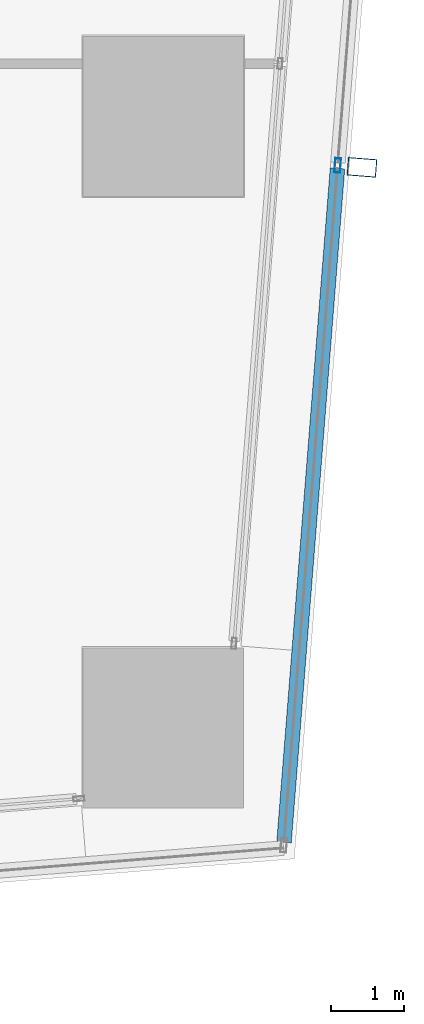
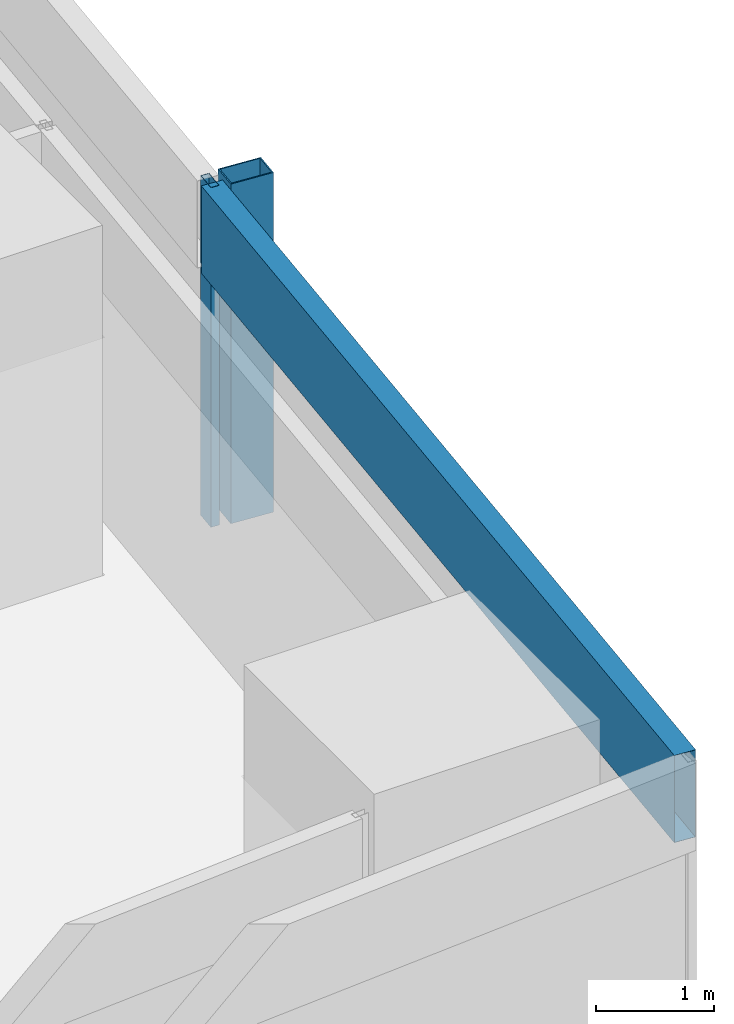
# One storey, part 25 of 44: 3 members, 1 element without a shape of its own.
"""IFC4 building model written with IfcOpenShell, lengths in metres."""

from ifc_helpers import new_model, si_unit, direction, frame, origin, origin_2d, place, context, subcontext, project, spatial, hollow_rectangle, extrude, material, material_profile, profile_set, type_object, element, aggregate, save


model = new_model("IFC4")

# Units and contexts
model_context = context("Model", 3, precision=1e-05, world=origin(), true_north=direction((0.0, 1.0)))
body_context = subcontext(model_context, "Body", "Model", "MODEL_VIEW")
ifc_project = project(units=[si_unit("LENGTHUNIT", "METRE"), si_unit("AREAUNIT", "SQUARE_METRE"), si_unit("VOLUMEUNIT", "CUBIC_METRE"), si_unit("PLANEANGLEUNIT", "RADIAN"), si_unit("MASSUNIT", "GRAM", prefix="KILO")], contexts=[model_context])

# Site, building, storey
site_placement = place(None, origin())
site = spatial("IfcSite", under=ifc_project, at=site_placement, CompositionType="ELEMENT")
building_placement = place(site_placement, origin())
building = spatial("IfcBuilding", under=site, at=building_placement, Name="Rekha Terrace Tower", CompositionType="ELEMENT")
storey_placement = place(building_placement, frame((0.0, 0.0, 62.89990234375)))
storey = spatial("IfcBuildingStorey", under=building, at=storey_placement, Name="L15", CompositionType="ELEMENT", Elevation=62.89990234375)

# Curtain wall, members
ifc_material_1 = material(Name="Aluminium framing", Category="aluminium")
curtain_wall_type = type_object("IfcCurtainWallType", Name="CW2 double skin outer glazing", PredefinedType="USERDEFINED", material=ifc_material_1)
curtain_wall_placement = place(storey_placement, origin())
curtain_wall = element("IfcCurtainWall", 1, at=curtain_wall_placement, inside=storey, type_object=curtain_wall_type, Name="CW2 double skin outer glazing", ObjectType="DOUBLE SKIN OUTER GLAZING", PredefinedType="USERDEFINED")
ifc_material_2 = material(Name="Steel S355 with fluorocarbon finish", Category="steel")
ifc_material_profile_1 = material_profile(ifc_material_2, hollow_rectangle(XDim=0.25, YDim=0.39990234375, WallThickness=0.012451171875, at=origin_2d()), Name="RHS400x250x12.5")
ifc_profile_set_1 = profile_set([ifc_material_profile_1], Name="Steel S355 with fluorocarbon finish")
member_type_1 = type_object("IfcMemberType", Name="BL1 facade blade RHS 400 x 250", PredefinedType="USERDEFINED", material=ifc_profile_set_1)
member_1_placement = place(storey_placement, frame((69.929443359375, 16.099365234375, 0.0), z_axis=(0.0, 0.0, 1.0), x_axis=(0.079116779322, 0.996865354614, 0.0)))
member_1 = element("IfcMember", 2, at=member_1_placement, type_object=member_type_1, Name="Facade blade", ObjectType="FACADE BLADE", PredefinedType="USERDEFINED", context=body_context, shape_type="SweptSolid", body=[
    extrude(hollow_rectangle(XDim=0.25, YDim=0.39990234375, WallThickness=0.012451171875, at=origin_2d()), origin(), (0.0, 0.0, 1.0), 3.5),
])
ifc_material_3 = material(Name="Aluminium mullion section", Category="aluminium")
ifc_material_profile_2 = material_profile(ifc_material_3, hollow_rectangle(XDim=0.080078125, YDim=0.199951171875, WallThickness=0.00390625, at=origin_2d()), Name="AL RHS 80x200")
ifc_profile_set_2 = profile_set([ifc_material_profile_2], Name="Aluminium mullion section")
member_type_2 = type_object("IfcMemberType", Name="CW2 mullion RHS 80 x 200", PredefinedType="MULLION", material=ifc_profile_set_2)
member_2_placement = place(storey_placement, frame((69.595458984375, 16.125732421875, 0.0), z_axis=(0.0, 0.0, 1.0), x_axis=(-0.996865392575, 0.079116301017, 0.0)))
member_2 = element("IfcMember", 3, at=member_2_placement, type_object=member_type_2, Name="CW2 mullion 2", PredefinedType="MULLION", context=body_context, shape_type="SweptSolid", body=[
    extrude(hollow_rectangle(XDim=0.080078125, YDim=0.199951171875, WallThickness=0.00390625, at=origin_2d()), origin(), (0.0, 0.0, 1.0), 3.5),
])
ifc_material_4 = material(Name="Insulated aluminium spandrel box", Category="aluminium")
ifc_material_profile_3 = material_profile(ifc_material_4, hollow_rectangle(XDim=0.199951171875, YDim=0.89990234375, WallThickness=0.0029296875, at=origin_2d()), Name="AL SPANDREL BOX 200x900")
ifc_profile_set_3 = profile_set([ifc_material_profile_3], Name="Insulated aluminium spandrel box")
member_type_3 = type_object("IfcMemberType", Name="CW2 spandrel transom 200 x 900", PredefinedType="USERDEFINED", material=ifc_profile_set_3)
member_3_placement = place(storey_placement, frame((68.857666015625, 6.828369140625, 3.050048828125), z_axis=(0.079104689968, 0.996866314019, 0.0), x_axis=(-0.996866314019, 0.079104689968, 0.0)))
member_3 = element("IfcMember", 4, at=member_3_placement, type_object=member_type_3, Name="CW2 spandrel transom 1", ObjectType="TRANSOM", PredefinedType="USERDEFINED", context=body_context, shape_type="SweptSolid", body=[
    extrude(hollow_rectangle(XDim=0.199951171875, YDim=0.89990234375, WallThickness=0.0029296875, at=origin_2d()), origin(), (0.0, 0.0, 1.0), 9.28662109375),
])
aggregate(curtain_wall, [member_2, member_3, member_1])

save(model, "model.ifc")
